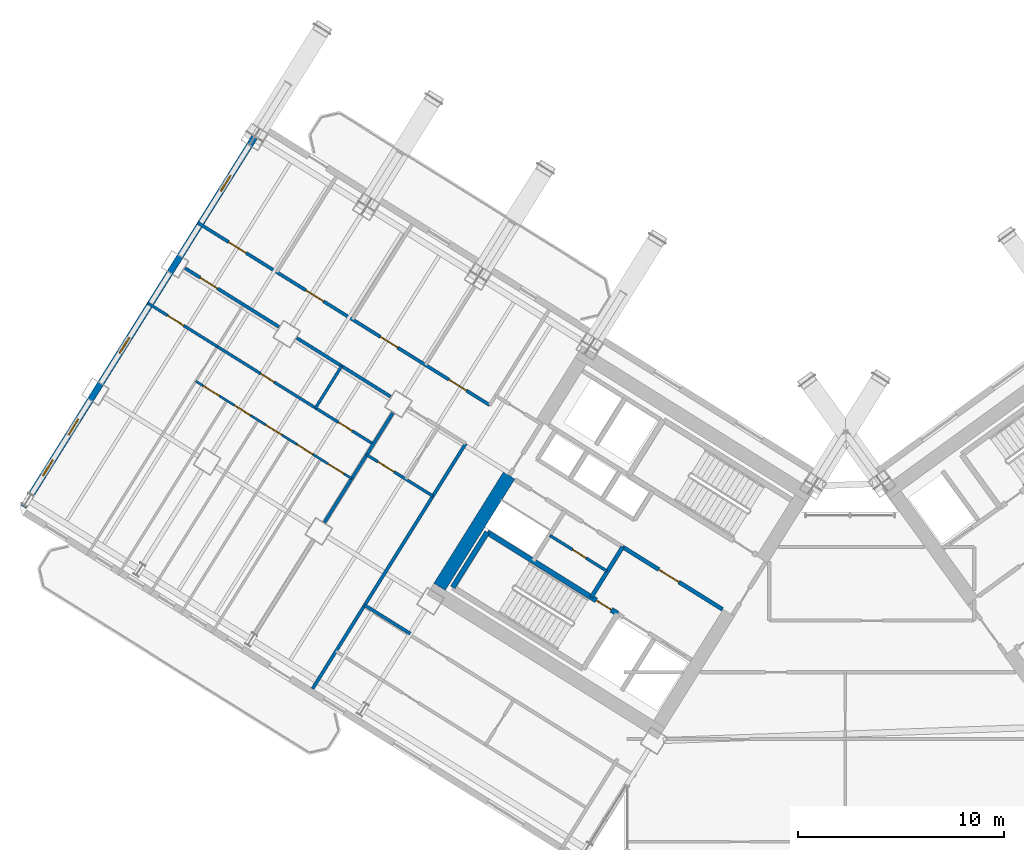
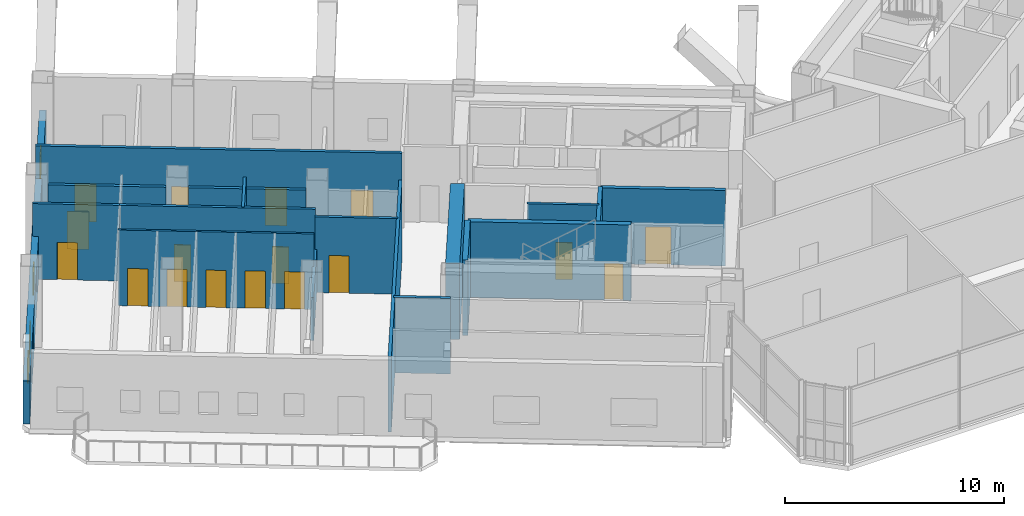
# One storey, part 22 of 30: 18 walls, 17 doors, 4 windows, 21 openings.
"""IFC4 building model written with IfcOpenShell, lengths in metres."""

from ifc_helpers import new_model, si_unit, direction, frame, frame_2d, origin, place, context, subcontext, project, spatial, rectangle, extrude, source, transform, mapped, material, layer, layer_set, type_object, element, fill, save


model = new_model("IFC4")

# Units and contexts
model_context = context("Model", 3, precision=1e-05, world=origin(), true_north=direction((0.0, 1.0)))
body_context = subcontext(model_context, "Body", "Model", "MODEL_VIEW")
ifc_project = project(units=[si_unit("LENGTHUNIT", "METRE"), si_unit("AREAUNIT", "SQUARE_METRE"), si_unit("VOLUMEUNIT", "CUBIC_METRE"), si_unit("PLANEANGLEUNIT", "RADIAN"), si_unit("MASSUNIT", "GRAM", prefix="KILO")], contexts=[model_context])

# Site, building, storey
site_placement = place(None, origin())
site = spatial("IfcSite", under=ifc_project, at=site_placement, CompositionType="ELEMENT")
building_placement = place(site_placement, origin())
building = spatial("IfcBuilding", under=site, at=building_placement, Name="Tlacorven Tower", CompositionType="ELEMENT")
storey_placement = place(building_placement, frame((0.0, 0.0, 67.199951171875)))
storey = spatial("IfcBuildingStorey", under=building, at=storey_placement, Name="L17", CompositionType="ELEMENT", Elevation=67.199951171875)

# Walls
ifc_material_1 = material(Name="Concrete C60/75", Category="concrete")
ifc_layer_1 = layer(ifc_material_1, 0.64990234375)
ifc_layer_set_1 = layer_set([ifc_layer_1], Name="Concrete C60/75")
wall_type_1 = type_object("IfcWallType", Name="WL-COR-650", PredefinedType="SHEAR", material=ifc_layer_set_1)
wall_1_placement = place(storey_placement, frame((26.006591796875, 24.975830078125, 0.0), z_axis=(0.0, 0.0, 1.0), x_axis=(-0.529916319127, -0.848049936456, 0.0)))
element("IfcWall", 1, at=wall_1_placement, inside=storey, type_object=wall_type_1, Name="L17 W core end wall E2.2", PredefinedType="SHEAR", context=body_context, shape_type="SweptSolid", body=[
    extrude(rectangle(XDim=6.375, YDim=0.64990234375, at=frame_2d((3.1875, 0.0))), origin(), (0.0, 0.0, 1.0), 4.219970703125),
])
ifc_material_2 = material(Name="Gypsum plasterboard acoustic partition", Category="gypsum")
ifc_layer_2 = layer(ifc_material_2, 0.159912109375)
ifc_layer_set_2 = layer_set([ifc_layer_2], Name="Gypsum plasterboard acoustic partition")
wall_type_2 = type_object("IfcWallType", Name="WL-DEM-160", PredefinedType="PARTITIONING", material=ifc_layer_set_2)
wall_2_placement = place(storey_placement, frame((21.20556640625, 17.29248046875, 0.0), z_axis=(0.0, 0.0, 1.0), x_axis=(-0.848050851465, 0.529914854792, 0.0)))
element("IfcWall", 2, at=wall_2_placement, inside=storey, type_object=wall_type_2, Name="L17 partition 51", PredefinedType="PARTITIONING", context=body_context, shape_type="SweptSolid", body=[
    extrude(rectangle(XDim=2.60986328125, YDim=0.159912109375, at=frame_2d((1.304931640625, 0.0))), origin(), (0.0, 0.0, 1.0), 4.2099609375),
])
wall_3_placement = place(storey_placement, frame((23.899169921875, 26.528564453125, 0.0), z_axis=(0.0, 0.0, 1.0), x_axis=(-0.529917716469, -0.848049063305, 0.0)))
element("IfcWall", 3, at=wall_3_placement, inside=storey, type_object=wall_type_2, Name="L17 partition 53", PredefinedType="PARTITIONING", context=body_context, shape_type="SweptSolid", body=[
    extrude(rectangle(XDim=14.050048828125, YDim=0.159912109375, at=frame_2d((7.02490234375, 0.0))), origin(), (0.0, 0.0, 1.0), 4.2099609375),
])

# Wall, openings, doors
wall_4_placement = place(storey_placement, frame((25.06494140625, 28.394287109375, 0.0), z_axis=(0.0, 0.0, 1.0), x_axis=(-0.848048310262, 0.529918921593, 0.0)))
wall_4 = element("IfcWall", 4, at=wall_4_placement, inside=storey, type_object=wall_type_2, Name="L17 Wing W Corridor South Wall", PredefinedType="PARTITIONING", context=body_context, shape_type="SweptSolid", body=[
    extrude(rectangle(XDim=16.72998046875, YDim=0.159912109375, at=frame_2d((8.364990234375, 0.0))), origin(), (0.0, 0.0, 1.0), 4.2099609375),
])
opening_1_placement = place(wall_4_placement, frame((1.337890625, 0.0, 0.0)))
opening_1 = element("IfcOpeningElement", 5, at=opening_1_placement, cuts=wall_4, Name="Opening D11", PredefinedType="OPENING", context=body_context, shape_type="SweptSolid", body=[
    extrude(rectangle(XDim=1.0, YDim=2.10009765625, at=frame_2d((0.5, 1.050048828125))), frame((0.0, 0.08984375, 0.0), z_axis=(0.0, -1.0, 0.0), x_axis=(1.0, 0.0, 0.0)), (0.0, 0.0, 1.0), 0.179931640625),
])
opening_2_placement = place(wall_4_placement, frame((5.264892578125, 0.0, 0.0)))
opening_2 = element("IfcOpeningElement", 6, at=opening_2_placement, cuts=wall_4, Name="Opening D11", PredefinedType="OPENING", context=body_context, shape_type="SweptSolid", body=[
    extrude(rectangle(XDim=1.0, YDim=2.10009765625, at=frame_2d((0.5, 1.050048828125))), frame((0.0, 0.08984375, 0.0), z_axis=(0.0, -1.0, 0.0), x_axis=(1.0, 0.0, 0.0)), (0.0, 0.0, 1.0), 0.179931640625),
])
opening_3_placement = place(wall_4_placement, frame((9.52587890625, 0.0, 0.0)))
opening_3 = element("IfcOpeningElement", 7, at=opening_3_placement, cuts=wall_4, Name="Opening D11", PredefinedType="OPENING", context=body_context, shape_type="SweptSolid", body=[
    extrude(rectangle(XDim=1.0, YDim=2.10009765625, at=frame_2d((0.5, 1.050048828125))), frame((0.0, 0.08984375, 0.0), z_axis=(0.0, -1.0, 0.0), x_axis=(1.0, 0.0, 0.0)), (0.0, 0.0, 1.0), 0.179931640625),
])
opening_4_placement = place(wall_4_placement, frame((13.9541015625, 0.0, 0.0)))
opening_4 = element("IfcOpeningElement", 8, at=opening_4_placement, cuts=wall_4, Name="Opening D11", PredefinedType="OPENING", context=body_context, shape_type="SweptSolid", body=[
    extrude(rectangle(XDim=1.0, YDim=2.10009765625, at=frame_2d((0.5, 1.050048828125))), frame((0.0, 0.08984375, 0.0), z_axis=(0.0, -1.0, 0.0), x_axis=(1.0, 0.0, 0.0)), (0.0, 0.0, 1.0), 0.179931640625),
])
ifc_material_3 = material(Name="Fire-rated steel door assembly", Category="steel")
door_type_1 = type_object("IfcDoorType", Name="DR-FLT-FD60-1000", OperationType="NOTDEFINED", PredefinedType="DOOR", material=ifc_material_3)
shared_shape_1 = source(origin(), body_context, "Body", "SweptSolid", [
    extrude(rectangle(XDim=1.0, YDim=2.10009765625, at=frame_2d((0.5, 1.050048828125))), frame((0.0, 0.02490234375, 0.0), z_axis=(0.0, -1.0, 0.0), x_axis=(1.0, 0.0, 0.0)), (0.0, 0.0, 1.0), 0.050048828125),
])
door_1_placement = place(opening_1_placement, frame((1.0, 0.0, 0.0), z_axis=(0.0, 0.0, 1.0), x_axis=(-1.0, 0.0, 0.0)))
door_1 = element("IfcDoor", 9, at=door_1_placement, inside=storey, type_object=door_type_1, Name="L17 door 038", OperationType="SINGLE_SWING_LEFT", OverallHeight=2.10009765625, OverallWidth=1.0, PredefinedType="DOOR", context=body_context, shape_type="MappedRepresentation", body=[
    mapped(shared_shape_1, transform((0.0, 0.0, 0.0), scale=1.0)),
])
fill(opening_1, door_1)
door_2_placement = place(opening_2_placement, frame((1.0, 0.0, 0.0), z_axis=(0.0, 0.0, 1.0), x_axis=(-1.0, 0.0, 0.0)))
door_2 = element("IfcDoor", 10, at=door_2_placement, inside=storey, type_object=door_type_1, Name="L17 door 039", OperationType="SINGLE_SWING_RIGHT", OverallHeight=2.10009765625, OverallWidth=1.0, PredefinedType="DOOR", context=body_context, shape_type="MappedRepresentation", body=[
    mapped(shared_shape_1, transform((0.0, 0.0, 0.0), scale=1.0)),
])
fill(opening_2, door_2)
door_3_placement = place(opening_3_placement, frame((1.0, 0.0, 0.0), z_axis=(0.0, 0.0, 1.0), x_axis=(-1.0, 0.0, 0.0)))
door_3 = element("IfcDoor", 11, at=door_3_placement, inside=storey, type_object=door_type_1, Name="L17 door 040", OperationType="SINGLE_SWING_LEFT", OverallHeight=2.10009765625, OverallWidth=1.0, PredefinedType="DOOR", context=body_context, shape_type="MappedRepresentation", body=[
    mapped(shared_shape_1, transform((0.0, 0.0, 0.0), scale=1.0)),
])
fill(opening_3, door_3)
door_4_placement = place(opening_4_placement, frame((1.0, 0.0, 0.0), z_axis=(0.0, 0.0, 1.0), x_axis=(-1.0, 0.0, 0.0)))
door_4 = element("IfcDoor", 12, at=door_4_placement, inside=storey, type_object=door_type_1, Name="L17 door 041", OperationType="SINGLE_SWING_RIGHT", OverallHeight=2.10009765625, OverallWidth=1.0, PredefinedType="DOOR", context=body_context, shape_type="MappedRepresentation", body=[
    mapped(shared_shape_1, transform((0.0, 0.0, 0.0), scale=1.0)),
])
fill(opening_4, door_4)

# Wall
wall_5_placement = place(storey_placement, frame((20.250732421875, 28.80810546875, 0.0), z_axis=(0.0, 0.0, 1.0), x_axis=(-0.848044224181, 0.529925460639, 0.0)))
element("IfcWall", 13, at=wall_5_placement, inside=storey, type_object=wall_type_2, Name="L17 Wing W Corridor North Wall", PredefinedType="PARTITIONING", context=body_context, shape_type="SweptSolid", body=[
    extrude(rectangle(XDim=5.3759765625, YDim=0.159912109375, at=frame_2d((2.68798828125, 0.0))), origin(), (0.0, 0.0, 1.0), 3.594970703125),
])

# Wall, opening, door
wall_6_placement = place(storey_placement, frame((14.8232421875, 32.19970703125, 0.0), z_axis=(0.0, 0.0, 1.0), x_axis=(-0.848044224181, 0.529925460639, 0.0)))
wall_6 = element("IfcWall", 14, at=wall_6_placement, inside=storey, type_object=wall_type_2, Name="L17 Wing W Corridor North Wall", PredefinedType="PARTITIONING", context=body_context, shape_type="SweptSolid", body=[
    extrude(rectangle(XDim=5.3759765625, YDim=0.159912109375, at=frame_2d((2.68798828125, 0.0))), origin(), (0.0, 0.0, 1.0), 3.594970703125),
])
opening_5_placement = place(wall_6_placement, frame((3.51806640625, 0.0, 0.0)))
opening_5 = element("IfcOpeningElement", 15, at=opening_5_placement, cuts=wall_6, Name="Opening D11", PredefinedType="OPENING", context=body_context, shape_type="SweptSolid", body=[
    extrude(rectangle(XDim=1.0, YDim=2.10009765625, at=frame_2d((0.5, 1.050048828125))), frame((0.0, 0.08984375, 0.0), z_axis=(0.0, -1.0, 0.0), x_axis=(1.0, 0.0, 0.0)), (0.0, 0.0, 1.0), 0.179931640625),
])
door_5_placement = place(opening_5_placement, origin())
door_5 = element("IfcDoor", 16, at=door_5_placement, inside=storey, type_object=door_type_1, Name="L17 door 028", OperationType="SINGLE_SWING_LEFT", OverallHeight=2.10009765625, OverallWidth=1.0, PredefinedType="DOOR", context=body_context, shape_type="MappedRepresentation", body=[
    mapped(shared_shape_1, transform((0.0, 0.0, 0.0), scale=1.0)),
])
fill(opening_5, door_5)

# Wall
wall_7_placement = place(storey_placement, frame((20.360595703125, 28.017822265625, 0.0), z_axis=(0.0, 0.0, 1.0), x_axis=(-0.529915015264, -0.848050751193, 0.0)))
element("IfcWall", 17, at=wall_7_placement, inside=storey, type_object=wall_type_2, Name="L17 WN Demising Wall 1", PredefinedType="PARTITIONING", context=body_context, shape_type="SweptSolid", body=[
    extrude(rectangle(XDim=6.27587890625, YDim=0.159912109375, at=frame_2d((3.137939453125, 0.0))), origin(), (0.0, 0.0, 1.0), 2.39501953125),
])

# Wall, openings, windows
ifc_material_4 = material(Name="Precast concrete C45/55", Category="concrete")
ifc_layer_3 = layer(ifc_material_4, 0.320068359375)
ifc_layer_set_3 = layer_set([ifc_layer_3], Name="Precast concrete C45/55")
wall_type_3 = type_object("IfcWallType", Name="WL-EXT-320", PredefinedType="STANDARD", material=ifc_layer_set_3)
wall_8_placement = place(storey_placement, frame((2.41455078125, 23.452392578125, 0.0), z_axis=(0.0, 0.0, 1.0), x_axis=(0.52991049553, 0.848053575387, 0.0)))
wall_8 = element("IfcWall", 18, at=wall_8_placement, inside=storey, type_object=wall_type_3, Name="L17 Masonry-Frame Recessed Facade Wall 2", PredefinedType="STANDARD", context=body_context, shape_type="SweptSolid", body=[
    extrude(rectangle(XDim=21.58740234375, YDim=0.320068359375, at=frame_2d((10.793701171875, 0.0))), origin(), (0.0, 0.0, 1.0), 2.39501953125),
])
opening_6_placement = place(wall_8_placement, frame((1.78759765625, 0.0, 1.0)))
opening_6 = element("IfcOpeningElement", 19, at=opening_6_placement, cuts=wall_8, Name="Opening WN05", PredefinedType="OPENING", context=body_context, shape_type="SweptSolid", body=[
    extrude(rectangle(XDim=0.89990234375, YDim=1.25, at=frame_2d((0.449951171875, 0.625))), frame((0.0, 0.169921875, 0.0), z_axis=(0.0, -1.0, 0.0), x_axis=(1.0, 0.0, 0.0)), (0.0, 0.0, 1.0), 0.340087890625),
])
opening_7_placement = place(wall_8_placement, frame((4.125, 0.0, 1.0)))
opening_7 = element("IfcOpeningElement", 20, at=opening_7_placement, cuts=wall_8, Name="Opening WN05", PredefinedType="OPENING", context=body_context, shape_type="SweptSolid", body=[
    extrude(rectangle(XDim=0.89990234375, YDim=1.25, at=frame_2d((0.449951171875, 0.625))), frame((0.0, 0.169921875, 0.0), z_axis=(0.0, -1.0, 0.0), x_axis=(1.0, 0.0, 0.0)), (0.0, 0.0, 1.0), 0.340087890625),
])
opening_8_placement = place(wall_8_placement, frame((8.80859375, 0.0, 1.0)))
opening_8 = element("IfcOpeningElement", 21, at=opening_8_placement, cuts=wall_8, Name="Opening WN05", PredefinedType="OPENING", context=body_context, shape_type="SweptSolid", body=[
    extrude(rectangle(XDim=0.89990234375, YDim=1.25, at=frame_2d((0.449951171875, 0.625))), frame((0.0, 0.169921875, 0.0), z_axis=(0.0, -1.0, 0.0), x_axis=(1.0, 0.0, 0.0)), (0.0, 0.0, 1.0), 0.340087890625),
])
opening_9_placement = place(wall_8_placement, frame((18.083740234375, 0.0, 1.0)))
opening_9 = element("IfcOpeningElement", 22, at=opening_9_placement, cuts=wall_8, Name="Opening WN05", PredefinedType="OPENING", context=body_context, shape_type="SweptSolid", body=[
    extrude(rectangle(XDim=0.89990234375, YDim=1.25, at=frame_2d((0.449951171875, 0.625))), frame((0.0, 0.169921875, 0.0), z_axis=(0.0, -1.0, 0.0), x_axis=(1.0, 0.0, 0.0)), (0.0, 0.0, 1.0), 0.340087890625),
])
ifc_material_5 = material(Name="Dark solar low-E double glazing in anodised aluminium frame", Category="aluminium")
window_type = type_object("IfcWindowType", Name="WN-APT-0900X1350", PartitioningType="SINGLE_PANEL", PredefinedType="WINDOW", material=ifc_material_5)
shared_shape_2 = source(origin(), body_context, "Body", "SweptSolid", [
    extrude(rectangle(XDim=0.89990234375, YDim=1.25, at=frame_2d((0.449951171875, 0.625))), frame((0.0, 0.030029296875, 0.0), z_axis=(0.0, -1.0, 0.0), x_axis=(1.0, 0.0, 0.0)), (0.0, 0.0, 1.0), 0.06005859375),
])
window_1_placement = place(opening_6_placement, origin())
window_1 = element("IfcWindow", 23, at=window_1_placement, inside=storey, type_object=window_type, Name="L17 Recessed Masonry-Frame Window L17-02.1", OverallHeight=1.25, OverallWidth=0.89990234375, PartitioningType="SINGLE_PANEL", PredefinedType="WINDOW", context=body_context, shape_type="MappedRepresentation", body=[
    mapped(shared_shape_2, transform((0.0, 0.0, 0.0), scale=1.0)),
])
fill(opening_6, window_1)
window_2_placement = place(opening_7_placement, origin())
window_2 = element("IfcWindow", 24, at=window_2_placement, inside=storey, type_object=window_type, Name="L17 Recessed Masonry-Frame Window L17-02.2", OverallHeight=1.25, OverallWidth=0.89990234375, PartitioningType="SINGLE_PANEL", PredefinedType="WINDOW", context=body_context, shape_type="MappedRepresentation", body=[
    mapped(shared_shape_2, transform((0.0, 0.0, 0.0), scale=1.0)),
])
fill(opening_7, window_2)
window_3_placement = place(opening_8_placement, origin())
window_3 = element("IfcWindow", 25, at=window_3_placement, inside=storey, type_object=window_type, Name="L17 Recessed Masonry-Frame Window L17-02.3", OverallHeight=1.25, OverallWidth=0.89990234375, PartitioningType="SINGLE_PANEL", PredefinedType="WINDOW", context=body_context, shape_type="MappedRepresentation", body=[
    mapped(shared_shape_2, transform((0.0, 0.0, 0.0), scale=1.0)),
])
fill(opening_8, window_3)
window_4_placement = place(opening_9_placement, origin())
window_4 = element("IfcWindow", 26, at=window_4_placement, inside=storey, type_object=window_type, Name="L17 Recessed Masonry-Frame Window L17-02.4", OverallHeight=1.25, OverallWidth=0.89990234375, PartitioningType="SINGLE_PANEL", PredefinedType="WINDOW", context=body_context, shape_type="MappedRepresentation", body=[
    mapped(shared_shape_2, transform((0.0, 0.0, 0.0), scale=1.0)),
])
fill(opening_9, window_4)

# Wall, openings, doors
ifc_material_6 = material(Name="Gypsum plasterboard partition", Category="gypsum")
ifc_layer_4 = layer(ifc_material_6, 0.110107421875)
ifc_layer_set_4 = layer_set([ifc_layer_4], Name="Gypsum plasterboard partition")
wall_type_4 = type_object("IfcWallType", Name="WL-INT-110", PredefinedType="PARTITIONING", material=ifc_layer_set_4)
wall_9_placement = place(storey_placement, frame((18.364013671875, 24.822509765625, 0.0), z_axis=(0.0, 0.0, 1.0), x_axis=(-0.848056599187, 0.529905656296, 0.0)))
wall_9 = element("IfcWall", 27, at=wall_9_placement, inside=storey, type_object=wall_type_4, Name="L17 partition 65", PredefinedType="PARTITIONING", context=body_context, shape_type="SweptSolid", body=[
    extrude(rectangle(XDim=8.93994140625, YDim=0.110107421875, at=frame_2d((4.469970703125, 0.0))), origin(), (0.0, 0.0, 1.0), 4.2099609375),
])
opening_10_placement = place(wall_9_placement, frame((0.43408203125, 0.0, 0.0)))
opening_10 = element("IfcOpeningElement", 28, at=opening_10_placement, cuts=wall_9, Name="Opening D12", PredefinedType="OPENING", context=body_context, shape_type="SweptSolid", body=[
    extrude(rectangle(XDim=0.919921875, YDim=2.080078125, at=frame_2d((0.4599609375, 1.0400390625))), frame((0.0, 0.06494140625, 0.0), z_axis=(0.0, -1.0, 0.0), x_axis=(1.0, 0.0, 0.0)), (0.0, 0.0, 1.0), 0.130126953125),
])
opening_11_placement = place(wall_9_placement, frame((2.221923828125, 0.0, 0.0)))
opening_11 = element("IfcOpeningElement", 29, at=opening_11_placement, cuts=wall_9, Name="Opening D12", PredefinedType="OPENING", context=body_context, shape_type="SweptSolid", body=[
    extrude(rectangle(XDim=0.919921875, YDim=2.080078125, at=frame_2d((0.4599609375, 1.0400390625))), frame((0.0, 0.06494140625, 0.0), z_axis=(0.0, -1.0, 0.0), x_axis=(1.0, 0.0, 0.0)), (0.0, 0.0, 1.0), 0.130126953125),
])
opening_12_placement = place(wall_9_placement, frame((4.010009765625, 0.0, 0.0)))
opening_12 = element("IfcOpeningElement", 30, at=opening_12_placement, cuts=wall_9, Name="Opening D12", PredefinedType="OPENING", context=body_context, shape_type="SweptSolid", body=[
    extrude(rectangle(XDim=0.919921875, YDim=2.080078125, at=frame_2d((0.4599609375, 1.0400390625))), frame((0.0, 0.06494140625, 0.0), z_axis=(0.0, -1.0, 0.0), x_axis=(1.0, 0.0, 0.0)), (0.0, 0.0, 1.0), 0.130126953125),
])
opening_13_placement = place(wall_9_placement, frame((5.798095703125, 0.0, 0.0)))
opening_13 = element("IfcOpeningElement", 31, at=opening_13_placement, cuts=wall_9, Name="Opening D12", PredefinedType="OPENING", context=body_context, shape_type="SweptSolid", body=[
    extrude(rectangle(XDim=0.919921875, YDim=2.080078125, at=frame_2d((0.4599609375, 1.0400390625))), frame((0.0, 0.06494140625, 0.0), z_axis=(0.0, -1.0, 0.0), x_axis=(1.0, 0.0, 0.0)), (0.0, 0.0, 1.0), 0.130126953125),
])
opening_14_placement = place(wall_9_placement, frame((7.5859375, 0.0, 0.0)))
opening_14 = element("IfcOpeningElement", 32, at=opening_14_placement, cuts=wall_9, Name="Opening D12", PredefinedType="OPENING", context=body_context, shape_type="SweptSolid", body=[
    extrude(rectangle(XDim=0.919921875, YDim=2.080078125, at=frame_2d((0.4599609375, 1.0400390625))), frame((0.0, 0.06494140625, 0.0), z_axis=(0.0, -1.0, 0.0), x_axis=(1.0, 0.0, 0.0)), (0.0, 0.0, 1.0), 0.130126953125),
])
ifc_material_7 = material(Name="Powder-coated aluminium and timber door", Category="wood")
door_type_2 = type_object("IfcDoorType", Name="DR-INT-ROOM-0920", OperationType="NOTDEFINED", PredefinedType="DOOR", material=ifc_material_7)
shared_shape_3 = source(origin(), body_context, "Body", "SweptSolid", [
    extrude(rectangle(XDim=0.919921875, YDim=2.080078125, at=frame_2d((0.4599609375, 1.0400390625))), frame((0.0, 0.02490234375, 0.0), z_axis=(0.0, -1.0, 0.0), x_axis=(1.0, 0.0, 0.0)), (0.0, 0.0, 1.0), 0.050048828125),
])
door_6_placement = place(opening_10_placement, origin())
door_6 = element("IfcDoor", 33, at=door_6_placement, inside=storey, type_object=door_type_2, Name="L17 door 033", OperationType="SINGLE_SWING_RIGHT", OverallHeight=2.080078125, OverallWidth=0.919921875, PredefinedType="DOOR", context=body_context, shape_type="MappedRepresentation", body=[
    mapped(shared_shape_3, transform((0.0, 0.0, 0.0), scale=1.0)),
])
fill(opening_10, door_6)
door_7_placement = place(opening_11_placement, origin())
door_7 = element("IfcDoor", 34, at=door_7_placement, inside=storey, type_object=door_type_2, Name="L17 door 034", OperationType="SINGLE_SWING_LEFT", OverallHeight=2.080078125, OverallWidth=0.919921875, PredefinedType="DOOR", context=body_context, shape_type="MappedRepresentation", body=[
    mapped(shared_shape_3, transform((0.0, 0.0, 0.0), scale=1.0)),
])
fill(opening_11, door_7)
door_8_placement = place(opening_12_placement, origin())
door_8 = element("IfcDoor", 35, at=door_8_placement, inside=storey, type_object=door_type_2, Name="L17 door 035", OperationType="SINGLE_SWING_RIGHT", OverallHeight=2.080078125, OverallWidth=0.919921875, PredefinedType="DOOR", context=body_context, shape_type="MappedRepresentation", body=[
    mapped(shared_shape_3, transform((0.0, 0.0, 0.0), scale=1.0)),
])
fill(opening_12, door_8)
door_9_placement = place(opening_13_placement, origin())
door_9 = element("IfcDoor", 36, at=door_9_placement, inside=storey, type_object=door_type_2, Name="L17 door 036", OperationType="SINGLE_SWING_LEFT", OverallHeight=2.080078125, OverallWidth=0.919921875, PredefinedType="DOOR", context=body_context, shape_type="MappedRepresentation", body=[
    mapped(shared_shape_3, transform((0.0, 0.0, 0.0), scale=1.0)),
])
fill(opening_13, door_9)
door_10_placement = place(opening_14_placement, origin())
door_10 = element("IfcDoor", 37, at=door_10_placement, inside=storey, type_object=door_type_2, Name="L17 door 037", OperationType="SINGLE_SWING_RIGHT", OverallHeight=2.080078125, OverallWidth=0.919921875, PredefinedType="DOOR", context=body_context, shape_type="MappedRepresentation", body=[
    mapped(shared_shape_3, transform((0.0, 0.0, 0.0), scale=1.0)),
])
fill(opening_14, door_10)

# Wall, opening, door
ifc_material_8 = material(Name="Moisture-resistant gypsum plumbing wall", Category="gypsum")
ifc_layer_5 = layer(ifc_material_8, 0.139892578125)
ifc_layer_set_5 = layer_set([ifc_layer_5], Name="Moisture-resistant gypsum plumbing wall")
wall_type_5 = type_object("IfcWallType", Name="WL-PLM-140", PredefinedType="PLUMBINGWALL", material=ifc_layer_set_5)
wall_10_placement = place(storey_placement, frame((30.766357421875, 20.3271484375, 0.0), z_axis=(0.0, 0.0, 1.0), x_axis=(-0.848052663127, 0.529911955482, 0.0)))
wall_10 = element("IfcWall", 38, at=wall_10_placement, inside=storey, type_object=wall_type_5, Name="L17 partition 23", PredefinedType="PLUMBINGWALL", context=body_context, shape_type="SweptSolid", body=[
    extrude(rectangle(XDim=3.27978515625, YDim=0.139892578125, at=frame_2d((1.639892578125, 0.0))), origin(), (0.0, 0.0, 1.0), 4.2099609375),
])
opening_15_placement = place(wall_10_placement, frame((1.199951171875, 0.0, 0.0)))
opening_15 = element("IfcOpeningElement", 39, at=opening_15_placement, cuts=wall_10, Name="Opening D22", PredefinedType="OPENING", context=body_context, shape_type="SweptSolid", body=[
    extrude(rectangle(XDim=0.780029296875, YDim=2.050048828125, at=frame_2d((0.39013671875, 1.02490234375))), frame((0.0, 0.080078125, 0.0), z_axis=(0.0, -1.0, 0.0), x_axis=(1.0, 0.0, 0.0)), (0.0, 0.0, 1.0), 0.159912109375),
])
door_type_3 = type_object("IfcDoorType", Name="DR-INT-WET-0780", OperationType="NOTDEFINED", PredefinedType="DOOR", material=ifc_material_7)
shared_shape_4 = source(origin(), body_context, "Body", "SweptSolid", [
    extrude(rectangle(XDim=0.780029296875, YDim=2.050048828125, at=frame_2d((0.39013671875, 1.02490234375))), frame((0.0, 0.02490234375, 0.0), z_axis=(0.0, -1.0, 0.0), x_axis=(1.0, 0.0, 0.0)), (0.0, 0.0, 1.0), 0.050048828125),
])
door_11_placement = place(opening_15_placement, origin())
door_11 = element("IfcDoor", 40, at=door_11_placement, inside=storey, type_object=door_type_3, Name="L17 door 008", OperationType="SINGLE_SWING_RIGHT", OverallHeight=2.050048828125, OverallWidth=0.780029296875, PredefinedType="DOOR", context=body_context, shape_type="MappedRepresentation", body=[
    mapped(shared_shape_4, transform((0.0, 0.0, 0.0), scale=1.0)),
])
fill(opening_15, door_11)

wall_11_placement = place(storey_placement, frame((22.303955078125, 23.975830078125, 0.0), z_axis=(0.0, 0.0, 1.0), x_axis=(-0.84803087207, 0.529946827537, 0.0)))
wall_11 = element("IfcWall", 41, at=wall_11_placement, inside=storey, type_object=wall_type_5, Name="L17 partition 58", PredefinedType="PLUMBINGWALL", context=body_context, shape_type="SweptSolid", body=[
    extrude(rectangle(XDim=3.7900390625, YDim=0.139892578125, at=frame_2d((1.89501953125, 0.0))), origin(), (0.0, 0.0, 1.0), 4.2099609375),
])
opening_16_placement = place(wall_11_placement, frame((2.22998046875, 0.0, 0.0)))
opening_16 = element("IfcOpeningElement", 42, at=opening_16_placement, cuts=wall_11, Name="Opening D12", PredefinedType="OPENING", context=body_context, shape_type="SweptSolid", body=[
    extrude(rectangle(XDim=0.919921875, YDim=2.080078125, at=frame_2d((0.4599609375, 1.0400390625))), frame((0.0, 0.080078125, 0.0), z_axis=(0.0, -1.0, 0.0), x_axis=(1.0, 0.0, 0.0)), (0.0, 0.0, 1.0), 0.159912109375),
])
door_12_placement = place(opening_16_placement, origin())
door_12 = element("IfcDoor", 43, at=door_12_placement, inside=storey, type_object=door_type_2, Name="L17 door 025", OperationType="SINGLE_SWING_RIGHT", OverallHeight=2.080078125, OverallWidth=0.919921875, PredefinedType="DOOR", context=body_context, shape_type="MappedRepresentation", body=[
    mapped(shared_shape_3, transform((0.0, 0.0, 0.0), scale=1.0)),
])
fill(opening_16, door_12)

wall_12_placement = place(storey_placement, frame((11.83154296875, 31.239013671875, 0.0), z_axis=(0.0, 0.0, 1.0), x_axis=(-0.848025873403, 0.529954826413, 0.0)))
wall_12 = element("IfcWall", 44, at=wall_12_placement, inside=storey, type_object=wall_type_5, Name="L17 partition 62", PredefinedType="PLUMBINGWALL", context=body_context, shape_type="SweptSolid", body=[
    extrude(rectangle(XDim=3.979736328125, YDim=0.139892578125, at=frame_2d((1.98974609375, 0.0))), origin(), (0.0, 0.0, 1.0), 4.2099609375),
])
opening_17_placement = place(wall_12_placement, frame((1.929931640625, 0.0, 0.0)))
opening_17 = element("IfcOpeningElement", 45, at=opening_17_placement, cuts=wall_12, Name="Opening D12", PredefinedType="OPENING", context=body_context, shape_type="SweptSolid", body=[
    extrude(rectangle(XDim=0.919921875, YDim=2.080078125, at=frame_2d((0.4599609375, 1.0400390625))), frame((0.0, 0.080078125, 0.0), z_axis=(0.0, -1.0, 0.0), x_axis=(1.0, 0.0, 0.0)), (0.0, 0.0, 1.0), 0.159912109375),
])
door_13_placement = place(opening_17_placement, origin())
door_13 = element("IfcDoor", 46, at=door_13_placement, inside=storey, type_object=door_type_2, Name="L17 door 029", OperationType="SINGLE_SWING_RIGHT", OverallHeight=2.080078125, OverallWidth=0.919921875, PredefinedType="DOOR", context=body_context, shape_type="MappedRepresentation", body=[
    mapped(shared_shape_3, transform((0.0, 0.0, 0.0), scale=1.0)),
])
fill(opening_17, door_13)

# Wall, openings, doors
wall_13_placement = place(storey_placement, frame((19.413330078125, 26.50146484375, 0.0), z_axis=(0.0, 0.0, 1.0), x_axis=(-0.848051995289, 0.529913024266, 0.0)))
wall_13 = element("IfcWall", 47, at=wall_13_placement, inside=storey, type_object=wall_type_5, Name="L17 partition 63", PredefinedType="PLUMBINGWALL", context=body_context, shape_type="SweptSolid", body=[
    extrude(rectangle(XDim=8.940185546875, YDim=0.139892578125, at=frame_2d((4.47021484375, 0.0))), origin(), (0.0, 0.0, 1.0), 4.2099609375),
])
opening_18_placement = place(wall_13_placement, frame((5.6875, 0.0, 0.0)))
opening_18 = element("IfcOpeningElement", 48, at=opening_18_placement, cuts=wall_13, Name="Opening D22", PredefinedType="OPENING", context=body_context, shape_type="SweptSolid", body=[
    extrude(rectangle(XDim=0.780029296875, YDim=2.050048828125, at=frame_2d((0.39013671875, 1.02490234375))), frame((0.0, 0.080078125, 0.0), z_axis=(0.0, -1.0, 0.0), x_axis=(1.0, 0.0, 0.0)), (0.0, 0.0, 1.0), 0.159912109375),
])
opening_19_placement = place(wall_13_placement, frame((1.217529296875, 0.0, 0.0)))
opening_19 = element("IfcOpeningElement", 49, at=opening_19_placement, cuts=wall_13, Name="Opening D22", PredefinedType="OPENING", context=body_context, shape_type="SweptSolid", body=[
    extrude(rectangle(XDim=0.780029296875, YDim=2.050048828125, at=frame_2d((0.39013671875, 1.02490234375))), frame((0.0, 0.080078125, 0.0), z_axis=(0.0, -1.0, 0.0), x_axis=(1.0, 0.0, 0.0)), (0.0, 0.0, 1.0), 0.159912109375),
])
door_14_placement = place(opening_18_placement, origin())
door_14 = element("IfcDoor", 50, at=door_14_placement, inside=storey, type_object=door_type_3, Name="L17 door 031", OperationType="SINGLE_SWING_RIGHT", OverallHeight=2.050048828125, OverallWidth=0.780029296875, PredefinedType="DOOR", context=body_context, shape_type="MappedRepresentation", body=[
    mapped(shared_shape_4, transform((0.0, 0.0, 0.0), scale=1.0)),
])
fill(opening_18, door_14)
door_15_placement = place(opening_19_placement, origin())
door_15 = element("IfcDoor", 51, at=door_15_placement, inside=storey, type_object=door_type_3, Name="L17 door 032", OperationType="SINGLE_SWING_LEFT", OverallHeight=2.050048828125, OverallWidth=0.780029296875, PredefinedType="DOOR", context=body_context, shape_type="MappedRepresentation", body=[
    mapped(shared_shape_4, transform((0.0, 0.0, 0.0), scale=1.0)),
])
fill(opening_19, door_15)

# Wall
wall_14_placement = place(storey_placement, frame((17.873779296875, 30.293701171875, 0.0), z_axis=(0.0, 0.0, 1.0), x_axis=(-0.52988967038, -0.848066587731, 0.0)))
element("IfcWall", 52, at=wall_14_placement, inside=storey, type_object=wall_type_5, Name="L17 partition 64", PredefinedType="PLUMBINGWALL", context=body_context, shape_type="SweptSolid", body=[
    extrude(rectangle(XDim=2.41015625, YDim=0.139892578125, at=frame_2d((1.205078125, 0.0))), origin(), (0.0, 0.0, 1.0), 4.2099609375),
])

# Wall, opening, door
ifc_material_9 = material(Name="Concrete C40/50", Category="concrete")
ifc_layer_6 = layer(ifc_material_9, 0.199951171875)
ifc_layer_set_6 = layer_set([ifc_layer_6], Name="Concrete C40/50")
wall_type_6 = type_object("IfcWallType", Name="WL-SHF-200", PredefinedType="STANDARD", material=ifc_layer_set_6)
wall_15_placement = place(storey_placement, frame((36.374267578125, 18.4736328125, 0.0), z_axis=(0.0, 0.0, 1.0), x_axis=(-0.848051071577, 0.529914502535, 0.0)))
wall_15 = element("IfcWall", 53, at=wall_15_placement, inside=storey, type_object=wall_type_6, Name="L17 Core W Smoke Lobby Wall", PredefinedType="STANDARD", context=body_context, shape_type="SweptSolid", body=[
    extrude(rectangle(XDim=5.718017578125, YDim=0.199951171875, at=frame_2d((2.85888671875, 0.0))), origin(), (0.0, 0.0, 1.0), 4.2099609375),
])
opening_20_placement = place(wall_15_placement, frame((2.498046875, 0.0, 0.0)))
opening_20 = element("IfcOpeningElement", 54, at=opening_20_placement, cuts=wall_15, Name="Opening D09", PredefinedType="OPENING", context=body_context, shape_type="SweptSolid", body=[
    extrude(rectangle(XDim=1.14990234375, YDim=2.10009765625, at=frame_2d((0.574951171875, 1.050048828125))), frame((0.0, 0.10986328125, 0.0), z_axis=(0.0, -1.0, 0.0), x_axis=(1.0, 0.0, 0.0)), (0.0, 0.0, 1.0), 0.219970703125),
])
door_type_4 = type_object("IfcDoorType", Name="DR-FFL-FD60-1150", OperationType="NOTDEFINED", PredefinedType="DOOR", material=ifc_material_3)
shared_shape_5 = source(origin(), body_context, "Body", "SweptSolid", [
    extrude(rectangle(XDim=1.14990234375, YDim=2.10009765625, at=frame_2d((0.574951171875, 1.050048828125))), frame((0.0, 0.02490234375, 0.0), z_axis=(0.0, -1.0, 0.0), x_axis=(1.0, 0.0, 0.0)), (0.0, 0.0, 1.0), 0.050048828125),
])
door_16_placement = place(opening_20_placement, origin())
door_16 = element("IfcDoor", 55, at=door_16_placement, inside=storey, type_object=door_type_4, Name="L17 Firefighting Lobby W Fire Door", OperationType="SINGLE_SWING_LEFT", OverallHeight=2.10009765625, OverallWidth=1.14990234375, PredefinedType="DOOR", context=body_context, shape_type="MappedRepresentation", body=[
    mapped(shared_shape_5, transform((0.0, 0.0, 0.0), scale=1.0)),
])
fill(opening_20, door_16)

# Wall
wall_16_placement = place(storey_placement, frame((31.525146484375, 21.503662109375, 0.0), z_axis=(0.0, 0.0, 1.0), x_axis=(-0.529907497854, -0.848055448493, 0.0)))
element("IfcWall", 56, at=wall_16_placement, inside=storey, type_object=wall_type_6, Name="L17 partition 20", PredefinedType="STANDARD", context=body_context, shape_type="SweptSolid", body=[
    extrude(rectangle(XDim=2.8798828125, YDim=0.199951171875, at=frame_2d((1.43994140625, 0.0))), origin(), (0.0, 0.0, 1.0), 4.2099609375),
])

# Wall, opening, door
ifc_material_10 = material(Name="Concrete C50/60", Category="concrete")
ifc_layer_7 = layer(ifc_material_10, 0.260009765625)
ifc_layer_set_7 = layer_set([ifc_layer_7], Name="Concrete C50/60")
wall_type_7 = type_object("IfcWallType", Name="WL-STW-260", PredefinedType="SHEAR", material=ifc_layer_set_7)
wall_17_placement = place(storey_placement, frame((31.279541015625, 18.26123046875, 0.0), z_axis=(0.0, 0.0, 1.0), x_axis=(-0.848051618787, 0.529913626805, 0.0)))
wall_17 = element("IfcWall", 57, at=wall_17_placement, inside=storey, type_object=wall_type_7, Name="L17 Stair W1 Lobby Shear Wall", PredefinedType="SHEAR", context=body_context, shape_type="SweptSolid", body=[
    extrude(rectangle(XDim=7.4599609375, YDim=0.260009765625, at=frame_2d((3.72998046875, 0.0))), origin(), (0.0, 0.0, 1.0), 4.219970703125),
])
opening_21_placement = place(wall_17_placement, frame((0.360107421875, 0.0, 0.0)))
opening_21 = element("IfcOpeningElement", 58, at=opening_21_placement, cuts=wall_17, Name="Opening D19", PredefinedType="OPENING", context=body_context, shape_type="SweptSolid", body=[
    extrude(rectangle(XDim=0.860107421875, YDim=2.050048828125, at=frame_2d((0.43017578125, 1.02490234375))), frame((0.0, 0.14013671875, 0.0), z_axis=(0.0, -1.0, 0.0), x_axis=(1.0, 0.0, 0.0)), (0.0, 0.0, 1.0), 0.280029296875),
])
door_type_5 = type_object("IfcDoorType", Name="DR-RSR-FD60-0860", OperationType="NOTDEFINED", PredefinedType="DOOR", material=ifc_material_3)
shared_shape_6 = source(origin(), body_context, "Body", "SweptSolid", [
    extrude(rectangle(XDim=0.860107421875, YDim=2.050048828125, at=frame_2d((0.43017578125, 1.02490234375))), frame((0.0, 0.02490234375, 0.0), z_axis=(0.0, -1.0, 0.0), x_axis=(1.0, 0.0, 0.0)), (0.0, 0.0, 1.0), 0.050048828125),
])
door_17_placement = place(opening_21_placement, frame((0.860107421875, 0.0, 0.0), z_axis=(0.0, 0.0, 1.0), x_axis=(-1.0, 0.0, 0.0)))
door_17 = element("IfcDoor", 59, at=door_17_placement, inside=storey, type_object=door_type_5, Name="L17 Exit Stair W1 Fire Door", OperationType="SINGLE_SWING_LEFT", OverallHeight=2.050048828125, OverallWidth=0.860107421875, PredefinedType="DOOR", context=body_context, shape_type="MappedRepresentation", body=[
    mapped(shared_shape_6, transform((0.0, 0.0, 0.0), scale=1.0)),
])
fill(opening_21, door_17)

# Wall
wall_18_placement = place(storey_placement, frame((24.944580078125, 22.2197265625, 0.0), z_axis=(0.0, 0.0, 1.0), x_axis=(-0.529908658664, -0.84805472316, 0.0)))
element("IfcWall", 60, at=wall_18_placement, inside=storey, type_object=wall_type_7, Name="L17 Stair W1 East Shear Wall", PredefinedType="SHEAR", context=body_context, shape_type="SweptSolid", body=[
    extrude(rectangle(XDim=3.16015625, YDim=0.260009765625, at=frame_2d((1.580078125, 0.0))), origin(), (0.0, 0.0, 1.0), 4.219970703125),
])

save(model, "model.ifc")
